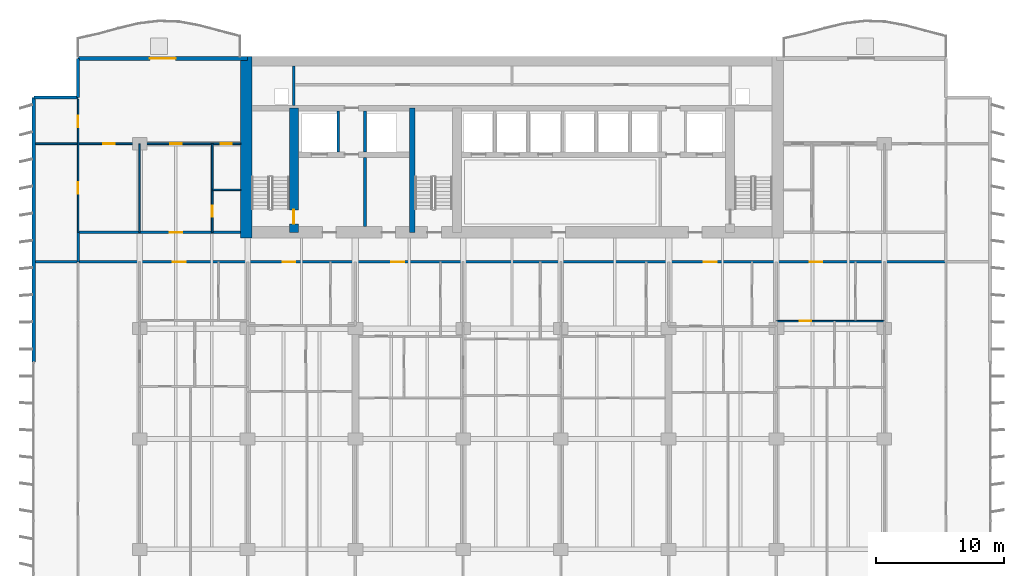
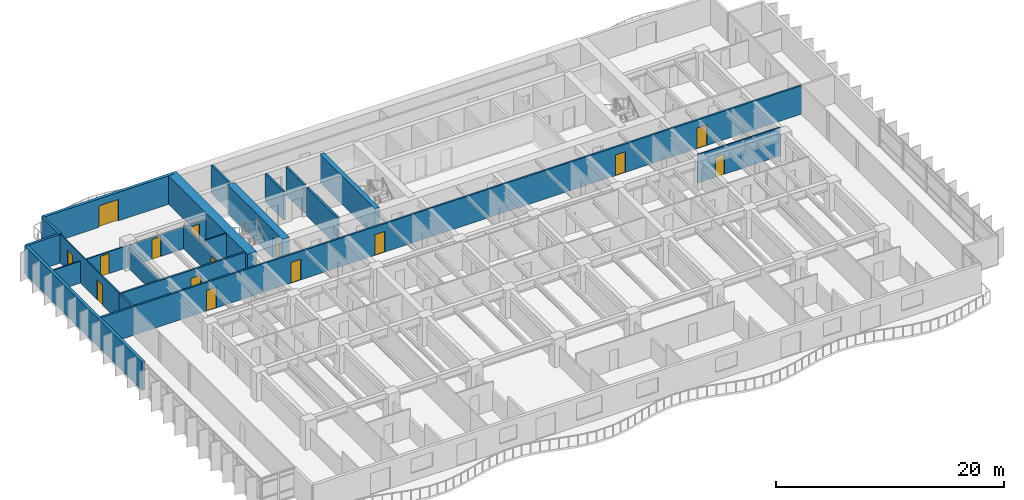
# One storey, part 10 of 17: 21 walls, 15 doors, 15 openings.
"""IFC4 building model written with IfcOpenShell, lengths in metres."""

from ifc_helpers import new_model, si_unit, direction, frame, frame_2d, origin, place, context, subcontext, project, spatial, rectangle, extrude, material, layer, layer_set, type_object, element, fill, save


model = new_model("IFC4")

# Units and contexts
model_context = context("Model", 3, precision=1e-05, world=origin(), true_north=direction((0.0, 1.0)))
body_context = subcontext(model_context, "Body", "Model", "MODEL_VIEW")
ifc_project = project(units=[si_unit("LENGTHUNIT", "METRE"), si_unit("AREAUNIT", "SQUARE_METRE"), si_unit("VOLUMEUNIT", "CUBIC_METRE"), si_unit("PLANEANGLEUNIT", "RADIAN"), si_unit("MASSUNIT", "GRAM", prefix="KILO")], contexts=[model_context])

# Site, building, storey
site_placement = place(None, origin())
site = spatial("IfcSite", under=ifc_project, at=site_placement, CompositionType="ELEMENT")
building_placement = place(site_placement, origin())
building = spatial("IfcBuilding", under=site, at=building_placement, Name="Caelmar Bay Residences", CompositionType="ELEMENT")
storey_placement = place(building_placement, frame((0.0, 0.0, 49.800048828125)))
storey = spatial("IfcBuildingStorey", under=building, at=storey_placement, Name="L12", CompositionType="ELEMENT", Elevation=49.800048828125)

# Wall, opening, door
ifc_material_1 = material(Name="Concrete f'c 55 MPa (8,000 psi)", Category="concrete")
ifc_layer_1 = layer(ifc_material_1, 0.699951171875)
ifc_layer_set_1 = layer_set([ifc_layer_1], Name="Concrete f'c 55 MPa (8,000 psi)")
wall_type_1 = type_object("IfcWallType", Name="SW-COR-700", PredefinedType="SHEAR", material=ifc_layer_set_1)
wall_1_placement = place(storey_placement, frame((21.89990234375, 36.89990234375, 0.0), z_axis=(0.0, 0.0, 1.0), x_axis=(0.0, 1.0, 0.0)))
wall_1 = element("IfcWall", 1, at=wall_1_placement, inside=storey, type_object=wall_type_1, Name="L12 Core Structural Web Wall ST1E", PredefinedType="SHEAR", context=body_context, shape_type="SweptSolid", body=[
    extrude(rectangle(XDim=9.675048828125, YDim=0.699951171875, at=frame_2d((4.83740234375, 0.0))), origin(), (0.0, 0.0, 1.0), 3.050048828125),
])
opening_1_placement = place(wall_1_placement, frame((0.64990234375, 0.0, 0.0)))
opening_1 = element("IfcOpeningElement", 2, at=opening_1_placement, cuts=wall_1, Name="Opening D-L12-108", PredefinedType="OPENING", context=body_context, shape_type="SweptSolid", body=[
    extrude(rectangle(XDim=1.10009765625, YDim=2.14990234375, at=frame_2d((0.550048828125, 1.074951171875))), frame((0.0, 0.35986328125, 0.0), z_axis=(0.0, -1.0, 0.0), x_axis=(1.0, 0.0, 0.0)), (0.0, 0.0, 1.0), 0.719970703125),
])
ifc_material_2 = material(Name="Fire-rated steel and walnut architectural door assembly", Category="steel")
ifc_layer_2 = layer(ifc_material_2, 0.050048828125)
ifc_layer_set_2 = layer_set([ifc_layer_2], Name="Fire-rated steel and walnut architectural door assembly")
door_type_1 = type_object("IfcDoorType", Name="D-STAIR-1100", OperationType="NOTDEFINED", PredefinedType="DOOR", material=ifc_layer_set_2)
door_1_placement = place(opening_1_placement, origin())
door_1 = element("IfcDoor", 3, at=door_1_placement, inside=storey, type_object=door_type_1, Name="L12 Firefighting Lobby West Door", OperationType="SINGLE_SWING_LEFT", OverallHeight=2.14990234375, OverallWidth=1.10009765625, PredefinedType="DOOR", context=body_context, shape_type="SweptSolid", body=[
    extrude(rectangle(XDim=1.10009765625, YDim=2.14990234375, at=frame_2d((0.550048828125, 1.074951171875))), frame((0.0, 0.02490234375, 0.0), z_axis=(0.0, -1.0, 0.0), x_axis=(1.0, 0.0, 0.0)), (0.0, 0.0, 1.0), 0.050048828125),
])
fill(opening_1, door_1)

# Walls
ifc_material_3 = material(Name="Concrete f'c 70 MPa (10,000 psi)", Category="concrete")
ifc_layer_3 = layer(ifc_material_3, 0.89990234375)
ifc_layer_set_3 = layer_set([ifc_layer_3], Name="Concrete f'c 70 MPa (10,000 psi)")
wall_type_2 = type_object("IfcWallType", Name="SW-COR-900", PredefinedType="SHEAR", material=ifc_layer_set_3)
wall_2_placement = place(storey_placement, frame((18.199951171875, 36.449951171875, 0.0), z_axis=(0.0, 0.0, 1.0), x_axis=(0.0, 1.0, 0.0)))
element("IfcWall", 4, at=wall_2_placement, inside=storey, type_object=wall_type_2, Name="L12 Rear Core West Shear Wall", PredefinedType="SHEAR", context=body_context, shape_type="SweptSolid", body=[
    extrude(rectangle(XDim=14.150146484375, YDim=0.89990234375, at=frame_2d((7.0751953125, 0.0))), origin(), (0.0, 0.0, 1.0), 3.050048828125),
])
ifc_layer_4 = layer(ifc_material_3, 0.449951171875)
ifc_layer_set_4 = layer_set([ifc_layer_4], Name="Concrete f'c 70 MPa (10,000 psi)")
wall_type_3 = type_object("IfcWallType", Name="SW-WEB-450", PredefinedType="SHEAR", material=ifc_layer_set_4)
wall_3_placement = place(storey_placement, frame((31.125, 36.89990234375, 0.0), z_axis=(0.0, 0.0, 1.0), x_axis=(0.0, 1.0, 0.0)))
element("IfcWall", 5, at=wall_3_placement, inside=storey, type_object=wall_type_3, Name="L12 Core Structural Web Wall ST3W", PredefinedType="SHEAR", context=body_context, shape_type="SweptSolid", body=[
    extrude(rectangle(XDim=9.675048828125, YDim=0.449951171875, at=frame_2d((4.83740234375, 0.0))), origin(), (0.0, 0.0, 1.0), 3.050048828125),
])
ifc_material_4 = material(Name="Double-stud acoustic fire-rated gypsum partition 180 mm")
ifc_layer_5 = layer(ifc_material_4, 0.179931640625)
ifc_layer_set_5 = layer_set([ifc_layer_5], Name="Double-stud acoustic fire-rated gypsum partition 180 mm")
wall_type_4 = type_object("IfcWallType", Name="W-COR-200", PredefinedType="PARTITIONING", material=ifc_layer_set_5)
wall_4_placement = place(storey_placement, frame((5.10009765625, 34.60498046875, 0.0), z_axis=(0.0, 0.0, 1.0), x_axis=(0.0, 1.0, 0.0)))
element("IfcWall", 6, at=wall_4_placement, inside=storey, type_object=wall_type_4, Name="L12 Partition Wall V006", PredefinedType="PARTITIONING", context=body_context, shape_type="SweptSolid", body=[
    extrude(rectangle(XDim=2.294921875, YDim=0.179931640625, at=frame_2d((1.1474609375, 0.0))), origin(), (0.0, 0.0, 1.0), 3.050048828125),
])

# Wall, openings, doors
wall_5_placement = place(storey_placement, frame((5.10498046875, 34.60009765625, 0.0), z_axis=(0.0, 0.0, 1.0), x_axis=(1.0, 0.0, 0.0)))
wall_5 = element("IfcWall", 7, at=wall_5_placement, inside=storey, type_object=wall_type_4, Name="L12 Partition Wall H133", PredefinedType="PARTITIONING", context=body_context, shape_type="SweptSolid", body=[
    extrude(rectangle(XDim=67.594970703125, YDim=0.179931640625, at=frame_2d((33.79736328125, 0.0))), origin(), (0.0, 0.0, 1.0), 3.050048828125),
])
opening_2_placement = place(wall_5_placement, frame((7.365478515625, 0.0, 0.0)))
opening_2 = element("IfcOpeningElement", 8, at=opening_2_placement, cuts=wall_5, Name="Opening D-L12-119", PredefinedType="OPENING", context=body_context, shape_type="SweptSolid", body=[
    extrude(rectangle(XDim=1.0, YDim=2.199951171875, at=frame_2d((0.5, 1.10009765625))), frame((0.0, 0.099853515625, 0.0), z_axis=(0.0, -1.0, 0.0), x_axis=(1.0, 0.0, 0.0)), (0.0, 0.0, 1.0), 0.199951171875),
])
opening_3_placement = place(wall_5_placement, frame((15.927490234375, 0.0, 0.0)))
opening_3 = element("IfcOpeningElement", 9, at=opening_3_placement, cuts=wall_5, Name="Opening D-L12-127", PredefinedType="OPENING", context=body_context, shape_type="SweptSolid", body=[
    extrude(rectangle(XDim=1.0, YDim=2.199951171875, at=frame_2d((0.5, 1.10009765625))), frame((0.0, 0.099853515625, 0.0), z_axis=(0.0, -1.0, 0.0), x_axis=(1.0, 0.0, 0.0)), (0.0, 0.0, 1.0), 0.199951171875),
])
opening_4_placement = place(wall_5_placement, frame((24.406982421875, 0.0, 0.0)))
opening_4 = element("IfcOpeningElement", 10, at=opening_4_placement, cuts=wall_5, Name="Opening D-L12-134", PredefinedType="OPENING", context=body_context, shape_type="SweptSolid", body=[
    extrude(rectangle(XDim=1.0, YDim=2.199951171875, at=frame_2d((0.5, 1.10009765625))), frame((0.0, 0.099853515625, 0.0), z_axis=(0.0, -1.0, 0.0), x_axis=(1.0, 0.0, 0.0)), (0.0, 0.0, 1.0), 0.199951171875),
])
opening_5_placement = place(wall_5_placement, frame((48.739013671875, 0.0, 0.0)))
opening_5 = element("IfcOpeningElement", 11, at=opening_5_placement, cuts=wall_5, Name="Opening D-L12-149", PredefinedType="OPENING", context=body_context, shape_type="SweptSolid", body=[
    extrude(rectangle(XDim=1.0, YDim=2.199951171875, at=frame_2d((0.5, 1.10009765625))), frame((0.0, 0.099853515625, 0.0), z_axis=(0.0, -1.0, 0.0), x_axis=(1.0, 0.0, 0.0)), (0.0, 0.0, 1.0), 0.199951171875),
])
opening_6_placement = place(wall_5_placement, frame((56.98046875, 0.0, 0.0)))
opening_6 = element("IfcOpeningElement", 12, at=opening_6_placement, cuts=wall_5, Name="Opening D-L12-156", PredefinedType="OPENING", context=body_context, shape_type="SweptSolid", body=[
    extrude(rectangle(XDim=1.0, YDim=2.199951171875, at=frame_2d((0.5, 1.10009765625))), frame((0.0, 0.099853515625, 0.0), z_axis=(0.0, -1.0, 0.0), x_axis=(1.0, 0.0, 0.0)), (0.0, 0.0, 1.0), 0.199951171875),
])
ifc_layer_6 = layer(ifc_material_2, 0.050048828125)
ifc_layer_set_6 = layer_set([ifc_layer_6], Name="Fire-rated steel and walnut architectural door assembly")
door_type_2 = type_object("IfcDoorType", Name="D-UNIT-1000", OperationType="NOTDEFINED", PredefinedType="DOOR", material=ifc_layer_set_6)
door_2_placement = place(opening_2_placement, origin())
door_2 = element("IfcDoor", 13, at=door_2_placement, inside=storey, type_object=door_type_2, Name="L12 Residence 01 Apartment Hall Door", OperationType="SINGLE_SWING_RIGHT", OverallHeight=2.199951171875, OverallWidth=1.0, PredefinedType="DOOR", context=body_context, shape_type="SweptSolid", body=[
    extrude(rectangle(XDim=1.0, YDim=2.199951171875, at=frame_2d((0.5, 1.10009765625))), frame((0.0, 0.02490234375, 0.0), z_axis=(0.0, -1.0, 0.0), x_axis=(1.0, 0.0, 0.0)), (0.0, 0.0, 1.0), 0.050048828125),
])
fill(opening_2, door_2)
door_3_placement = place(opening_3_placement, origin())
door_3 = element("IfcDoor", 14, at=door_3_placement, inside=storey, type_object=door_type_2, Name="L12 Residence 02 Apartment Hall Door", OperationType="SINGLE_SWING_RIGHT", OverallHeight=2.199951171875, OverallWidth=1.0, PredefinedType="DOOR", context=body_context, shape_type="SweptSolid", body=[
    extrude(rectangle(XDim=1.0, YDim=2.199951171875, at=frame_2d((0.5, 1.10009765625))), frame((0.0, 0.02490234375, 0.0), z_axis=(0.0, -1.0, 0.0), x_axis=(1.0, 0.0, 0.0)), (0.0, 0.0, 1.0), 0.050048828125),
])
fill(opening_3, door_3)
door_4_placement = place(opening_4_placement, origin())
door_4 = element("IfcDoor", 15, at=door_4_placement, inside=storey, type_object=door_type_2, Name="L12 Residence 03 Apartment Hall Door", OperationType="SINGLE_SWING_LEFT", OverallHeight=2.199951171875, OverallWidth=1.0, PredefinedType="DOOR", context=body_context, shape_type="SweptSolid", body=[
    extrude(rectangle(XDim=1.0, YDim=2.199951171875, at=frame_2d((0.5, 1.10009765625))), frame((0.0, 0.02490234375, 0.0), z_axis=(0.0, -1.0, 0.0), x_axis=(1.0, 0.0, 0.0)), (0.0, 0.0, 1.0), 0.050048828125),
])
fill(opening_4, door_4)
door_5_placement = place(opening_5_placement, origin())
door_5 = element("IfcDoor", 16, at=door_5_placement, inside=storey, type_object=door_type_2, Name="L12 Residence 04 Apartment Hall Door", OperationType="SINGLE_SWING_RIGHT", OverallHeight=2.199951171875, OverallWidth=1.0, PredefinedType="DOOR", context=body_context, shape_type="SweptSolid", body=[
    extrude(rectangle(XDim=1.0, YDim=2.199951171875, at=frame_2d((0.5, 1.10009765625))), frame((0.0, 0.02490234375, 0.0), z_axis=(0.0, -1.0, 0.0), x_axis=(1.0, 0.0, 0.0)), (0.0, 0.0, 1.0), 0.050048828125),
])
fill(opening_5, door_5)
door_6_placement = place(opening_6_placement, origin())
door_6 = element("IfcDoor", 17, at=door_6_placement, inside=storey, type_object=door_type_2, Name="L12 Residence 05 Apartment Hall Door", OperationType="SINGLE_SWING_LEFT", OverallHeight=2.199951171875, OverallWidth=1.0, PredefinedType="DOOR", context=body_context, shape_type="SweptSolid", body=[
    extrude(rectangle(XDim=1.0, YDim=2.199951171875, at=frame_2d((0.5, 1.10009765625))), frame((0.0, 0.02490234375, 0.0), z_axis=(0.0, -1.0, 0.0), x_axis=(1.0, 0.0, 0.0)), (0.0, 0.0, 1.0), 0.050048828125),
])
fill(opening_6, door_6)

# Wall, opening, door
wall_6_placement = place(storey_placement, frame((5.10009765625, 36.89990234375, 0.0), z_axis=(0.0, 0.0, 1.0), x_axis=(1.0, 0.0, 0.0)))
wall_6 = element("IfcWall", 18, at=wall_6_placement, inside=storey, type_object=wall_type_4, Name="L12 Partition Wall H135", PredefinedType="PARTITIONING", context=body_context, shape_type="SweptSolid", body=[
    extrude(rectangle(XDim=12.64501953125, YDim=0.179931640625, at=frame_2d((6.322509765625, 0.0))), origin(), (0.0, 0.0, 1.0), 3.050048828125),
])
opening_7_placement = place(wall_6_placement, frame((7.125, 0.0, 0.0)))
opening_7 = element("IfcOpeningElement", 19, at=opening_7_placement, cuts=wall_6, Name="Opening D-L12-167", PredefinedType="OPENING", context=body_context, shape_type="SweptSolid", body=[
    extrude(rectangle(XDim=1.0, YDim=2.199951171875, at=frame_2d((0.5, 1.10009765625))), frame((0.0, 0.099853515625, 0.0), z_axis=(0.0, -1.0, 0.0), x_axis=(1.0, 0.0, 0.0)), (0.0, 0.0, 1.0), 0.199951171875),
])
door_7_placement = place(opening_7_placement, origin())
door_7 = element("IfcDoor", 20, at=door_7_placement, inside=storey, type_object=door_type_2, Name="L12 Residence WA Kitchen Door", OperationType="SINGLE_SWING_RIGHT", OverallHeight=2.199951171875, OverallWidth=1.0, PredefinedType="DOOR", context=body_context, shape_type="SweptSolid", body=[
    extrude(rectangle(XDim=1.0, YDim=2.199951171875, at=frame_2d((0.5, 1.10009765625))), frame((0.0, 0.02490234375, 0.0), z_axis=(0.0, -1.0, 0.0), x_axis=(1.0, 0.0, 0.0)), (0.0, 0.0, 1.0), 0.050048828125),
])
fill(opening_7, door_7)

# Walls
ifc_material_5 = material(Name="Precast concrete f'c 40 MPa (6,000 psi)", Category="concrete")
ifc_layer_7 = layer(ifc_material_5, 0.25)
ifc_layer_set_7 = layer_set([ifc_layer_7], Name="Precast concrete f'c 40 MPa (6,000 psi)")
wall_type_5 = type_object("IfcWallType", Name="W-EXT-250", PredefinedType="ELEMENTEDWALL", material=ifc_layer_set_7)
wall_7_placement = place(storey_placement, frame((1.64990234375, 47.39990234375, 0.0), z_axis=(0.0, 0.0, 1.0), x_axis=(1.0, 0.0, 0.0)))
element("IfcWall", 21, at=wall_7_placement, inside=storey, type_object=wall_type_5, Name="L12 NNW-H Notch Wall", PredefinedType="ELEMENTEDWALL", context=body_context, shape_type="SweptSolid", body=[
    extrude(rectangle(XDim=3.4501953125, YDim=0.25, at=frame_2d((1.72509765625, 0.0))), origin(), (0.0, 0.0, 1.0), 3.050048828125),
])
wall_8_placement = place(storey_placement, frame((5.10009765625, 47.39990234375, 0.0), z_axis=(0.0, 0.0, 1.0), x_axis=(0.0, 1.0, 0.0)))
element("IfcWall", 22, at=wall_8_placement, inside=storey, type_object=wall_type_5, Name="L12 NNW-V Notch Wall", PredefinedType="ELEMENTEDWALL", context=body_context, shape_type="SweptSolid", body=[
    extrude(rectangle(XDim=3.050048828125, YDim=0.25, at=frame_2d((1.52490234375, 0.0))), origin(), (0.0, 0.0, 1.0), 3.050048828125),
])
ifc_layer_8 = layer(ifc_material_5, 0.300048828125)
ifc_layer_set_8 = layer_set([ifc_layer_8], Name="Precast concrete f'c 40 MPa (6,000 psi)")
wall_type_6 = type_object("IfcWallType", Name="W-EXT-300", PredefinedType="STANDARD", material=ifc_layer_set_8)
wall_9_placement = place(storey_placement, frame((1.64990234375, 26.800048828125, 0.0), z_axis=(0.0, 0.0, 1.0), x_axis=(0.0, 1.0, 0.0)))
element("IfcWall", 23, at=wall_9_placement, inside=storey, type_object=wall_type_6, Name="L12 West Rear Exterior Wall", PredefinedType="STANDARD", context=body_context, shape_type="SweptSolid", body=[
    extrude(rectangle(XDim=20.599853515625, YDim=0.300048828125, at=frame_2d((10.2998046875, 0.0))), origin(), (0.0, 0.0, 1.0), 3.050048828125),
])

# Wall, opening, door
wall_10_placement = place(storey_placement, frame((5.10009765625, 50.449951171875, 0.0), z_axis=(0.0, 0.0, 1.0), x_axis=(1.0, 0.0, 0.0)))
wall_10 = element("IfcWall", 24, at=wall_10_placement, inside=storey, type_object=wall_type_6, Name="L12 North-West Wing Exterior Wall", PredefinedType="STANDARD", context=body_context, shape_type="SweptSolid", body=[
    extrude(rectangle(XDim=13.199951171875, YDim=0.300048828125, at=frame_2d((6.60009765625, 0.0))), origin(), (0.0, 0.0, 1.0), 3.050048828125),
])
opening_8_placement = place(wall_10_placement, frame((5.60009765625, 0.0, 0.0)))
opening_8 = element("IfcOpeningElement", 25, at=opening_8_placement, cuts=wall_10, Name="Opening L12-BDNW", PredefinedType="OPENING", context=body_context, shape_type="SweptSolid", body=[
    extrude(rectangle(XDim=2.0, YDim=2.300048828125, at=frame_2d((1.0, 1.14990234375))), frame((0.0, 0.159912109375, 0.0), z_axis=(0.0, -1.0, 0.0), x_axis=(1.0, 0.0, 0.0)), (0.0, 0.0, 1.0), 0.320068359375),
])
ifc_material_6 = material(Name="Anodised bronze thermally broken sliding glass door", Category="glass")
ifc_layer_9 = layer(ifc_material_6, 0.050048828125)
ifc_layer_set_9 = layer_set([ifc_layer_9], Name="Anodised bronze thermally broken sliding glass door")
door_type_3 = type_object("IfcDoorType", Name="D-BAL-2000", OperationType="DOUBLE_DOOR_SLIDING", PredefinedType="DOOR", material=ifc_layer_set_9)
door_8_placement = place(opening_8_placement, origin())
door_8 = element("IfcDoor", 26, at=door_8_placement, inside=storey, type_object=door_type_3, Name="L12 North-West Balcony Door", OperationType="DOUBLE_DOOR_SLIDING", OverallHeight=2.300048828125, OverallWidth=2.0, PredefinedType="DOOR", context=body_context, shape_type="SweptSolid", body=[
    extrude(rectangle(XDim=2.0, YDim=2.300048828125, at=frame_2d((1.0, 1.14990234375))), frame((0.0, 0.02490234375, 0.0), z_axis=(0.0, -1.0, 0.0), x_axis=(1.0, 0.0, 0.0)), (0.0, 0.0, 1.0), 0.050048828125),
])
fill(opening_8, door_8)

# Walls
ifc_material_7 = material(Name="Fire-rated masonry and gypsum shaftliner assembly 200 mm", Category="masonry")
ifc_layer_10 = layer(ifc_material_7, 0.199951171875)
ifc_layer_set_10 = layer_set([ifc_layer_10], Name="Fire-rated masonry and gypsum shaftliner assembly 200 mm")
wall_type_7 = type_object("IfcWallType", Name="W-FSAE-200", PredefinedType="PARTITIONING", material=ifc_layer_set_10)
wall_11_placement = place(storey_placement, frame((21.89990234375, 46.794921875, 0.0), z_axis=(0.0, 0.0, 1.0), x_axis=(0.0, 1.0, 0.0)))
element("IfcWall", 27, at=wall_11_placement, inside=storey, type_object=wall_type_7, Name="L12 Partition Wall V028", PredefinedType="PARTITIONING", context=body_context, shape_type="SweptSolid", body=[
    extrude(rectangle(XDim=3.06005859375, YDim=0.199951171875, at=frame_2d((1.530029296875, 0.0))), origin(), (0.0, 0.0, 1.0), 3.050048828125),
])
wall_12_placement = place(storey_placement, frame((25.35009765625, 43.169921875, 0.0), z_axis=(0.0, 0.0, 1.0), x_axis=(0.0, 1.0, 0.0)))
element("IfcWall", 28, at=wall_12_placement, inside=storey, type_object=wall_type_7, Name="L12 Partition Wall V035", PredefinedType="PARTITIONING", context=body_context, shape_type="SweptSolid", body=[
    extrude(rectangle(XDim=3.18505859375, YDim=0.199951171875, at=frame_2d((1.592529296875, 0.0))), origin(), (0.0, 0.0, 1.0), 3.050048828125),
])
wall_13_placement = place(storey_placement, frame((27.449951171875, 37.344970703125, 0.0), z_axis=(0.0, 0.0, 1.0), x_axis=(0.0, 1.0, 0.0)))
element("IfcWall", 29, at=wall_13_placement, inside=storey, type_object=wall_type_7, Name="L12 Partition Wall V040", PredefinedType="PARTITIONING", context=body_context, shape_type="SweptSolid", body=[
    extrude(rectangle(XDim=5.385009765625, YDim=0.199951171875, at=frame_2d((2.6923828125, 0.0))), origin(), (0.0, 0.0, 1.0), 3.050048828125),
])
wall_14_placement = place(storey_placement, frame((27.449951171875, 43.169921875, 0.0), z_axis=(0.0, 0.0, 1.0), x_axis=(0.0, 1.0, 0.0)))
element("IfcWall", 30, at=wall_14_placement, inside=storey, type_object=wall_type_7, Name="L12 Partition Wall V041", PredefinedType="PARTITIONING", context=body_context, shape_type="SweptSolid", body=[
    extrude(rectangle(XDim=3.18505859375, YDim=0.199951171875, at=frame_2d((1.592529296875, 0.0))), origin(), (0.0, 0.0, 1.0), 3.050048828125),
])

# Wall, openings, doors
ifc_material_8 = material(Name="Acoustic metal-stud gypsum partition 120 mm")
ifc_layer_11 = layer(ifc_material_8, 0.1201171875)
ifc_layer_set_11 = layer_set([ifc_layer_11], Name="Acoustic metal-stud gypsum partition 120 mm")
wall_type_8 = type_object("IfcWallType", Name="W-PRT-120", PredefinedType="PARTITIONING", material=ifc_layer_set_11)
wall_15_placement = place(storey_placement, frame((5.10009765625, 36.905029296875, 0.0), z_axis=(0.0, 0.0, 1.0), x_axis=(0.0, 1.0, 0.0)))
wall_15 = element("IfcWall", 31, at=wall_15_placement, inside=storey, type_object=wall_type_8, Name="L12 Partition Wall V007", PredefinedType="PARTITIONING", context=body_context, shape_type="SweptSolid", body=[
    extrude(rectangle(XDim=10.375, YDim=0.1201171875, at=frame_2d((5.1875, 0.0))), origin(), (0.0, 0.0, 1.0), 3.050048828125),
])
opening_9_placement = place(wall_15_placement, frame((2.99755859375, 0.0, 0.0)))
opening_9 = element("IfcOpeningElement", 32, at=opening_9_placement, cuts=wall_15, Name="Opening D-L12-171", PredefinedType="OPENING", context=body_context, shape_type="SweptSolid", body=[
    extrude(rectangle(XDim=0.89990234375, YDim=2.14990234375, at=frame_2d((0.449951171875, 1.074951171875))), frame((0.0, 0.070068359375, 0.0), z_axis=(0.0, -1.0, 0.0), x_axis=(1.0, 0.0, 0.0)), (0.0, 0.0, 1.0), 0.14013671875),
])
opening_10_placement = place(wall_15_placement, frame((8.18505859375, 0.0, 0.0)))
opening_10 = element("IfcOpeningElement", 33, at=opening_10_placement, cuts=wall_15, Name="Opening D-L12-172", PredefinedType="OPENING", context=body_context, shape_type="SweptSolid", body=[
    extrude(rectangle(XDim=0.89990234375, YDim=2.14990234375, at=frame_2d((0.449951171875, 1.074951171875))), frame((0.0, 0.070068359375, 0.0), z_axis=(0.0, -1.0, 0.0), x_axis=(1.0, 0.0, 0.0)), (0.0, 0.0, 1.0), 0.14013671875),
])
ifc_material_9 = material(Name="Solid walnut timber interior door leaf and frame", Category="wood")
ifc_layer_12 = layer(ifc_material_9, 0.050048828125)
ifc_layer_set_12 = layer_set([ifc_layer_12], Name="Solid walnut timber interior door leaf and frame")
door_type_4 = type_object("IfcDoorType", Name="D-ROOM-900", OperationType="NOTDEFINED", PredefinedType="DOOR", material=ifc_layer_set_12)
door_9_placement = place(opening_9_placement, origin())
door_9 = element("IfcDoor", 34, at=door_9_placement, inside=storey, type_object=door_type_4, Name="L12 Residence WA Sun Study Door", OperationType="SINGLE_SWING_RIGHT", OverallHeight=2.14990234375, OverallWidth=0.89990234375, PredefinedType="DOOR", context=body_context, shape_type="SweptSolid", body=[
    extrude(rectangle(XDim=0.89990234375, YDim=2.14990234375, at=frame_2d((0.449951171875, 1.074951171875))), frame((0.0, 0.02490234375, 0.0), z_axis=(0.0, -1.0, 0.0), x_axis=(1.0, 0.0, 0.0)), (0.0, 0.0, 1.0), 0.050048828125),
])
fill(opening_9, door_9)
door_10_placement = place(opening_10_placement, origin())
door_10 = element("IfcDoor", 35, at=door_10_placement, inside=storey, type_object=door_type_4, Name="L12 Residence WA North Sitting Alcove Door", OperationType="SINGLE_SWING_LEFT", OverallHeight=2.14990234375, OverallWidth=0.89990234375, PredefinedType="DOOR", context=body_context, shape_type="SweptSolid", body=[
    extrude(rectangle(XDim=0.89990234375, YDim=2.14990234375, at=frame_2d((0.449951171875, 1.074951171875))), frame((0.0, 0.02490234375, 0.0), z_axis=(0.0, -1.0, 0.0), x_axis=(1.0, 0.0, 0.0)), (0.0, 0.0, 1.0), 0.050048828125),
])
fill(opening_10, door_10)

# Wall
wall_16_placement = place(storey_placement, frame((9.89990234375, 36.89990234375, 0.0), z_axis=(0.0, 0.0, 1.0), x_axis=(0.0, 1.0, 0.0)))
element("IfcWall", 36, at=wall_16_placement, inside=storey, type_object=wall_type_8, Name="L12 Partition Wall V014", PredefinedType="PARTITIONING", context=body_context, shape_type="SweptSolid", body=[
    extrude(rectangle(XDim=6.900146484375, YDim=0.1201171875, at=frame_2d((3.4501953125, 0.0))), origin(), (0.0, 0.0, 1.0), 2.10986328125),
])

# Wall, opening, door
wall_17_placement = place(storey_placement, frame((15.550048828125, 36.89990234375, 0.0), z_axis=(0.0, 0.0, 1.0), x_axis=(0.0, 1.0, 0.0)))
wall_17 = element("IfcWall", 37, at=wall_17_placement, inside=storey, type_object=wall_type_8, Name="L12 Partition Wall V020", PredefinedType="PARTITIONING", context=body_context, shape_type="SweptSolid", body=[
    extrude(rectangle(XDim=6.900146484375, YDim=0.1201171875, at=frame_2d((3.4501953125, 0.0))), origin(), (0.0, 0.0, 1.0), 2.4990234375),
])
opening_11_placement = place(wall_17_placement, frame((1.23095703125, 0.0, 0.0)))
opening_11 = element("IfcOpeningElement", 38, at=opening_11_placement, cuts=wall_17, Name="Opening D-L12-169", PredefinedType="OPENING", context=body_context, shape_type="SweptSolid", body=[
    extrude(rectangle(XDim=0.85009765625, YDim=2.10009765625, at=frame_2d((0.425048828125, 1.050048828125))), frame((0.0, 0.070068359375, 0.0), z_axis=(0.0, -1.0, 0.0), x_axis=(1.0, 0.0, 0.0)), (0.0, 0.0, 1.0), 0.14013671875),
])
ifc_layer_13 = layer(ifc_material_9, 0.050048828125)
ifc_layer_set_13 = layer_set([ifc_layer_13], Name="Solid walnut timber interior door leaf and frame")
door_type_5 = type_object("IfcDoorType", Name="D-BATH-850", OperationType="NOTDEFINED", PredefinedType="DOOR", material=ifc_layer_set_13)
door_11_placement = place(opening_11_placement, origin())
door_11 = element("IfcDoor", 39, at=door_11_placement, inside=storey, type_object=door_type_5, Name="L12 Residence WA Walk-In Closet Door", OperationType="SINGLE_SWING_RIGHT", OverallHeight=2.10009765625, OverallWidth=0.85009765625, PredefinedType="DOOR", context=body_context, shape_type="SweptSolid", body=[
    extrude(rectangle(XDim=0.85009765625, YDim=2.10009765625, at=frame_2d((0.425048828125, 1.050048828125))), frame((0.0, 0.02490234375, 0.0), z_axis=(0.0, -1.0, 0.0), x_axis=(1.0, 0.0, 0.0)), (0.0, 0.0, 1.0), 0.050048828125),
])
fill(opening_11, door_11)

wall_18_placement = place(storey_placement, frame((59.5, 29.97998046875, 0.0), z_axis=(0.0, 0.0, 1.0), x_axis=(1.0, 0.0, 0.0)))
wall_18 = element("IfcWall", 40, at=wall_18_placement, inside=storey, type_object=wall_type_8, Name="L12 Partition Wall H130", PredefinedType="PARTITIONING", context=body_context, shape_type="SweptSolid", body=[
    extrude(rectangle(XDim=8.39990234375, YDim=0.1201171875, at=frame_2d((4.199951171875, 0.0))), origin(), (0.0, 0.0, 1.0), 3.050048828125),
])
opening_12_placement = place(wall_18_placement, frame((1.818115234375, 0.0, 0.0)))
opening_12 = element("IfcOpeningElement", 41, at=opening_12_placement, cuts=wall_18, Name="Opening D-L12-158", PredefinedType="OPENING", context=body_context, shape_type="SweptSolid", body=[
    extrude(rectangle(XDim=0.89990234375, YDim=2.14990234375, at=frame_2d((0.449951171875, 1.074951171875))), frame((0.0, 0.070068359375, 0.0), z_axis=(0.0, -1.0, 0.0), x_axis=(1.0, 0.0, 0.0)), (0.0, 0.0, 1.0), 0.14013671875),
])
door_12_placement = place(opening_12_placement, origin())
door_12 = element("IfcDoor", 42, at=door_12_placement, inside=storey, type_object=door_type_4, Name="L12 Residence 05 Kitchen Door", OperationType="SINGLE_SWING_LEFT", OverallHeight=2.14990234375, OverallWidth=0.89990234375, PredefinedType="DOOR", context=body_context, shape_type="SweptSolid", body=[
    extrude(rectangle(XDim=0.89990234375, YDim=2.14990234375, at=frame_2d((0.449951171875, 1.074951171875))), frame((0.0, 0.02490234375, 0.0), z_axis=(0.0, -1.0, 0.0), x_axis=(1.0, 0.0, 0.0)), (0.0, 0.0, 1.0), 0.050048828125),
])
fill(opening_12, door_12)

# Wall
wall_19_placement = place(storey_placement, frame((15.550048828125, 40.2119140625, 0.0), z_axis=(0.0, 0.0, 1.0), x_axis=(1.0, 0.0, 0.0)))
element("IfcWall", 43, at=wall_19_placement, inside=storey, type_object=wall_type_8, Name="L12 Partition Wall H137", PredefinedType="PARTITIONING", context=body_context, shape_type="SweptSolid", body=[
    extrude(rectangle(XDim=2.204833984375, YDim=0.1201171875, at=frame_2d((1.1025390625, 0.0))), origin(), (0.0, 0.0, 1.0), 3.050048828125),
])

# Wall, openings, doors
wall_20_placement = place(storey_placement, frame((1.794921875, 43.800048828125, 0.0), z_axis=(0.0, 0.0, 1.0), x_axis=(1.0, 0.0, 0.0)))
wall_20 = element("IfcWall", 44, at=wall_20_placement, inside=storey, type_object=wall_type_8, Name="L12 Partition Wall H139", PredefinedType="PARTITIONING", context=body_context, shape_type="SweptSolid", body=[
    extrude(rectangle(XDim=15.9599609375, YDim=0.1201171875, at=frame_2d((7.97998046875, 0.0))), origin(), (0.0, 0.0, 1.0), 2.3388671875),
])
opening_13_placement = place(wall_20_placement, frame((5.2548828125, 0.0, 0.0)))
opening_13 = element("IfcOpeningElement", 45, at=opening_13_placement, cuts=wall_20, Name="Opening D-L12-166", PredefinedType="OPENING", context=body_context, shape_type="SweptSolid", body=[
    extrude(rectangle(XDim=0.89990234375, YDim=2.14990234375, at=frame_2d((0.449951171875, 1.074951171875))), frame((0.0, 0.070068359375, 0.0), z_axis=(0.0, -1.0, 0.0), x_axis=(1.0, 0.0, 0.0)), (0.0, 0.0, 1.0), 0.14013671875),
])
opening_14_placement = place(wall_20_placement, frame((10.47998046875, 0.0, 0.0)))
opening_14 = element("IfcOpeningElement", 46, at=opening_14_placement, cuts=wall_20, Name="Opening D-L12-168", PredefinedType="OPENING", context=body_context, shape_type="SweptSolid", body=[
    extrude(rectangle(XDim=0.89990234375, YDim=2.14990234375, at=frame_2d((0.449951171875, 1.074951171875))), frame((0.0, 0.070068359375, 0.0), z_axis=(0.0, -1.0, 0.0), x_axis=(1.0, 0.0, 0.0)), (0.0, 0.0, 1.0), 0.14013671875),
])
opening_15_placement = place(wall_20_placement, frame((14.4326171875, 0.0, 0.0)))
opening_15 = element("IfcOpeningElement", 47, at=opening_15_placement, cuts=wall_20, Name="Opening D-L12-170", PredefinedType="OPENING", context=body_context, shape_type="SweptSolid", body=[
    extrude(rectangle(XDim=0.85009765625, YDim=2.10009765625, at=frame_2d((0.425048828125, 1.050048828125))), frame((0.0, 0.070068359375, 0.0), z_axis=(0.0, -1.0, 0.0), x_axis=(1.0, 0.0, 0.0)), (0.0, 0.0, 1.0), 0.14013671875),
])
door_13_placement = place(opening_15_placement, origin())
door_13 = element("IfcDoor", 48, at=door_13_placement, inside=storey, type_object=door_type_5, Name="L12 Residence WA Bathroom Door", OperationType="SINGLE_SWING_LEFT", OverallHeight=2.10009765625, OverallWidth=0.85009765625, PredefinedType="DOOR", context=body_context, shape_type="SweptSolid", body=[
    extrude(rectangle(XDim=0.85009765625, YDim=2.10009765625, at=frame_2d((0.425048828125, 1.050048828125))), frame((0.0, 0.02490234375, 0.0), z_axis=(0.0, -1.0, 0.0), x_axis=(1.0, 0.0, 0.0)), (0.0, 0.0, 1.0), 0.050048828125),
])
fill(opening_15, door_13)
door_14_placement = place(opening_13_placement, origin())
door_14 = element("IfcDoor", 49, at=door_14_placement, inside=storey, type_object=door_type_4, Name="L12 Residence WA Study Door", OperationType="SINGLE_SWING_LEFT", OverallHeight=2.14990234375, OverallWidth=0.89990234375, PredefinedType="DOOR", context=body_context, shape_type="SweptSolid", body=[
    extrude(rectangle(XDim=0.89990234375, YDim=2.14990234375, at=frame_2d((0.449951171875, 1.074951171875))), frame((0.0, 0.02490234375, 0.0), z_axis=(0.0, -1.0, 0.0), x_axis=(1.0, 0.0, 0.0)), (0.0, 0.0, 1.0), 0.050048828125),
])
fill(opening_13, door_14)
door_15_placement = place(opening_14_placement, origin())
door_15 = element("IfcDoor", 50, at=door_15_placement, inside=storey, type_object=door_type_4, Name="L12 Residence WA Studio Living and Sleeping Room Door", OperationType="SINGLE_SWING_LEFT", OverallHeight=2.14990234375, OverallWidth=0.89990234375, PredefinedType="DOOR", context=body_context, shape_type="SweptSolid", body=[
    extrude(rectangle(XDim=0.89990234375, YDim=2.14990234375, at=frame_2d((0.449951171875, 1.074951171875))), frame((0.0, 0.02490234375, 0.0), z_axis=(0.0, -1.0, 0.0), x_axis=(1.0, 0.0, 0.0)), (0.0, 0.0, 1.0), 0.050048828125),
])
fill(opening_14, door_15)

# Wall
ifc_material_10 = material(Name="Acoustic twin-stud fire-rated inter-tenancy partition 200 mm")
ifc_layer_14 = layer(ifc_material_10, 0.199951171875)
ifc_layer_set_14 = layer_set([ifc_layer_14], Name="Acoustic twin-stud fire-rated inter-tenancy partition 200 mm")
wall_type_9 = type_object("IfcWallType", Name="W-PTY-200", PredefinedType="PARTITIONING", material=ifc_layer_set_14)
wall_21_placement = place(storey_placement, frame((1.794921875, 34.60009765625, 0.0), z_axis=(0.0, 0.0, 1.0), x_axis=(1.0, 0.0, 0.0)))
element("IfcWall", 51, at=wall_21_placement, inside=storey, type_object=wall_type_9, Name="L12 Partition Wall H132", PredefinedType="PARTITIONING", context=body_context, shape_type="SweptSolid", body=[
    extrude(rectangle(XDim=3.30517578125, YDim=0.199951171875, at=frame_2d((1.652587890625, 0.0))), origin(), (0.0, 0.0, 1.0), 3.050048828125),
])

save(model, "model.ifc")
